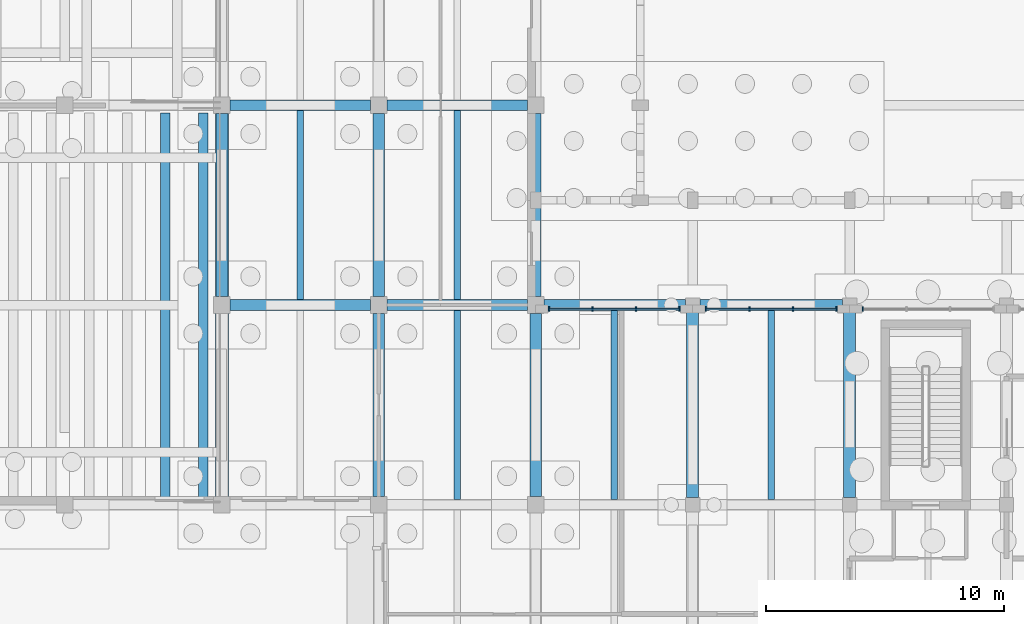
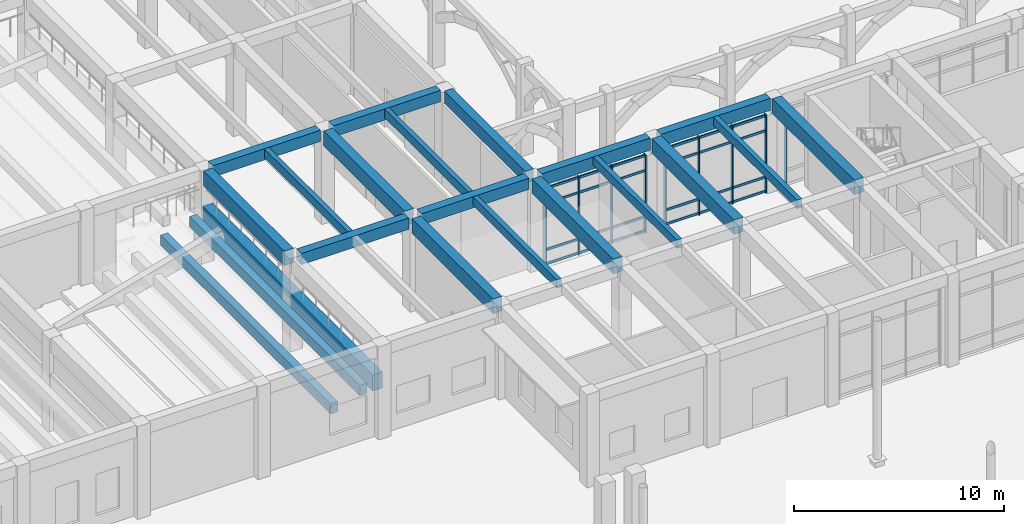
# One storey, part 26 of 82: 21 beams, 17 members, 3 elements without a shape of their own.
"""IFC4 building model written with IfcOpenShell, lengths in metres."""

from ifc_helpers import new_model, si_unit, direction, frame, origin, origin_2d, place, context, subcontext, project, spatial, rectangle, extrude, material, layer, layer_set, material_profile, profile_set, type_object, element, aggregate, save


model = new_model("IFC4")

# Units and contexts
model_context = context("Model", 3, precision=1e-05, world=origin(), true_north=direction((0.0, 1.0)))
body_context = subcontext(model_context, "Body", "Model", "MODEL_VIEW")
ifc_project = project(units=[si_unit("LENGTHUNIT", "METRE"), si_unit("AREAUNIT", "SQUARE_METRE"), si_unit("VOLUMEUNIT", "CUBIC_METRE"), si_unit("PLANEANGLEUNIT", "RADIAN"), si_unit("MASSUNIT", "GRAM", prefix="KILO")], contexts=[model_context])

# Site, building, storey
site_placement = place(None, origin())
site = spatial("IfcSite", under=ifc_project, at=site_placement, CompositionType="ELEMENT")
building_placement = place(site_placement, origin())
building = spatial("IfcBuilding", under=site, at=building_placement, Name="Kolvaren Faculty of Natural Sciences", CompositionType="ELEMENT")
storey_placement = place(building_placement, origin())
storey = spatial("IfcBuildingStorey", under=building, at=storey_placement, Name="L00", CompositionType="ELEMENT", Elevation=0.0)

# Curtain wall, members
ifc_material_1 = material(Name="Thermally broken anodised aluminium framing", Category="aluminium")
ifc_layer_1 = layer(ifc_material_1, 0.179931640625)
ifc_layer_set_1 = layer_set([ifc_layer_1], Name="Thermally broken anodised aluminium framing")
curtain_wall_type_1 = type_object("IfcCurtainWallType", Name="CommonsCurtainWall_CW02", PredefinedType="NOTDEFINED", material=ifc_layer_set_1)
curtain_wall_1_placement = place(storey_placement, origin())
curtain_wall_1 = element("IfcCurtainWall", 1, at=curtain_wall_1_placement, inside=storey, type_object=curtain_wall_type_1, Name="L00 unitised curtain wall CW-02 (CW-L00-007)", PredefinedType="NOTDEFINED")
ifc_material_profile_1 = material_profile(ifc_material_1, rectangle(XDim=0.06005859375, YDim=0.179931640625, at=origin_2d()), Name="ALU MUL 60x180")
ifc_profile_set_1 = profile_set([ifc_material_profile_1], Name="Thermally broken anodised aluminium framing")
member_type_1 = type_object("IfcMemberType", Name="CurtainMullion_60x180", PredefinedType="MULLION", material=ifc_profile_set_1)
member_1_placement = place(storey_placement, frame((46.949951171875, 84.030029296875, 0.0), z_axis=(0.0, 0.0, 1.0), x_axis=(1.0, 0.0, 0.0)))
member_1 = element("IfcMember", 2, at=member_1_placement, type_object=member_type_1, Name="CW-L00-007 vertical mullion 1", PredefinedType="MULLION", context=body_context, shape_type="SweptSolid", body=[
    extrude(rectangle(XDim=0.06005859375, YDim=0.179931640625, at=origin_2d()), origin(), (0.0, 0.0, 1.0), 4.534912109375),
])
member_2_placement = place(storey_placement, frame((48.783203125, 84.030029296875, 0.0), z_axis=(0.0, 0.0, 1.0), x_axis=(1.0, 0.0, 0.0)))
member_2 = element("IfcMember", 3, at=member_2_placement, type_object=member_type_1, Name="CW-L00-007 vertical mullion 2", PredefinedType="MULLION", context=body_context, shape_type="SweptSolid", body=[
    extrude(rectangle(XDim=0.06005859375, YDim=0.179931640625, at=origin_2d()), origin(), (0.0, 0.0, 1.0), 4.534912109375),
])
member_3_placement = place(storey_placement, frame((50.61669921875, 84.030029296875, 0.0), z_axis=(0.0, 0.0, 1.0), x_axis=(1.0, 0.0, 0.0)))
member_3 = element("IfcMember", 4, at=member_3_placement, type_object=member_type_1, Name="CW-L00-007 vertical mullion 3", PredefinedType="MULLION", context=body_context, shape_type="SweptSolid", body=[
    extrude(rectangle(XDim=0.06005859375, YDim=0.179931640625, at=origin_2d()), origin(), (0.0, 0.0, 1.0), 4.534912109375),
])
member_4_placement = place(storey_placement, frame((52.449951171875, 84.030029296875, 0.0), z_axis=(0.0, 0.0, 1.0), x_axis=(1.0, 0.0, 0.0)))
member_4 = element("IfcMember", 5, at=member_4_placement, type_object=member_type_1, Name="CW-L00-007 vertical mullion 4", PredefinedType="MULLION", context=body_context, shape_type="SweptSolid", body=[
    extrude(rectangle(XDim=0.06005859375, YDim=0.179931640625, at=origin_2d()), origin(), (0.0, 0.0, 1.0), 4.534912109375),
])

curtain_wall_2_placement = place(storey_placement, origin())
curtain_wall_2 = element("IfcCurtainWall", 6, at=curtain_wall_2_placement, inside=storey, type_object=curtain_wall_type_1, Name="L00 unitised curtain wall CW-02 (CW-L00-008)", PredefinedType="NOTDEFINED")
member_5_placement = place(storey_placement, frame((53.550048828125, 84.030029296875, 0.0), z_axis=(0.0, 0.0, 1.0), x_axis=(1.0, 0.0, 0.0)))
member_5 = element("IfcMember", 7, at=member_5_placement, type_object=member_type_1, Name="CW-L00-008 vertical mullion 1", PredefinedType="MULLION", context=body_context, shape_type="SweptSolid", body=[
    extrude(rectangle(XDim=0.06005859375, YDim=0.179931640625, at=origin_2d()), origin(), (0.0, 0.0, 1.0), 4.534912109375),
])
member_6_placement = place(storey_placement, frame((55.38330078125, 84.030029296875, 0.0), z_axis=(0.0, 0.0, 1.0), x_axis=(1.0, 0.0, 0.0)))
member_6 = element("IfcMember", 8, at=member_6_placement, type_object=member_type_1, Name="CW-L00-008 vertical mullion 2", PredefinedType="MULLION", context=body_context, shape_type="SweptSolid", body=[
    extrude(rectangle(XDim=0.06005859375, YDim=0.179931640625, at=origin_2d()), origin(), (0.0, 0.0, 1.0), 4.534912109375),
])
member_7_placement = place(storey_placement, frame((57.216796875, 84.030029296875, 0.0), z_axis=(0.0, 0.0, 1.0), x_axis=(1.0, 0.0, 0.0)))
member_7 = element("IfcMember", 9, at=member_7_placement, type_object=member_type_1, Name="CW-L00-008 vertical mullion 3", PredefinedType="MULLION", context=body_context, shape_type="SweptSolid", body=[
    extrude(rectangle(XDim=0.06005859375, YDim=0.179931640625, at=origin_2d()), origin(), (0.0, 0.0, 1.0), 4.534912109375),
])
member_8_placement = place(storey_placement, frame((59.050048828125, 84.030029296875, 0.0), z_axis=(0.0, 0.0, 1.0), x_axis=(1.0, 0.0, 0.0)))
member_8 = element("IfcMember", 10, at=member_8_placement, type_object=member_type_1, Name="CW-L00-008 vertical mullion 4", PredefinedType="MULLION", context=body_context, shape_type="SweptSolid", body=[
    extrude(rectangle(XDim=0.06005859375, YDim=0.179931640625, at=origin_2d()), origin(), (0.0, 0.0, 1.0), 4.534912109375),
])

# Curtain wall, member
ifc_layer_2 = layer(ifc_material_1, 0.179931640625)
ifc_layer_set_2 = layer_set([ifc_layer_2], Name="Thermally broken anodised aluminium framing")
curtain_wall_type_2 = type_object("IfcCurtainWallType", Name="AtriumCurtainWall_CW01", PredefinedType="NOTDEFINED", material=ifc_layer_set_2)
curtain_wall_3_placement = place(storey_placement, origin())
curtain_wall_3 = element("IfcCurtainWall", 11, at=curtain_wall_3_placement, inside=storey, type_object=curtain_wall_type_2, Name="L00 unitised curtain wall CW-01 (CW-L00-009)", PredefinedType="NOTDEFINED")
member_9_placement = place(storey_placement, frame((60.14990234375, 84.030029296875, 0.0), z_axis=(0.0, 0.0, 1.0), x_axis=(1.0, 0.0, 0.0)))
member_9 = element("IfcMember", 12, at=member_9_placement, type_object=member_type_1, Name="CW-L00-009 vertical mullion 1", PredefinedType="MULLION", context=body_context, shape_type="SweptSolid", body=[
    extrude(rectangle(XDim=0.06005859375, YDim=0.179931640625, at=origin_2d()), origin(), (0.0, 0.0, 1.0), 4.534912109375),
])
aggregate(curtain_wall_3, [member_9])

# Member
ifc_material_profile_2 = material_profile(ifc_material_1, rectangle(XDim=0.06005859375, YDim=0.139892578125, at=origin_2d()), Name="ALU TRN 60x140")
ifc_profile_set_2 = profile_set([ifc_material_profile_2], Name="Thermally broken anodised aluminium framing")
member_type_2 = type_object("IfcMemberType", Name="CurtainTransom_60x140", PredefinedType="USERDEFINED", material=ifc_profile_set_2)
member_10_placement = place(storey_placement, frame((46.949951171875, 84.030029296875, 0.080078125), z_axis=(1.0, 0.0, 0.0), x_axis=(0.0, 1.0, 0.0)))
member_10 = element("IfcMember", 13, at=member_10_placement, type_object=member_type_2, Name="CW-L00-007 horizontal transom 1", ObjectType="TRANSOM", PredefinedType="USERDEFINED", context=body_context, shape_type="SweptSolid", body=[
    extrude(rectangle(XDim=0.06005859375, YDim=0.139892578125, at=origin_2d()), origin(), (0.0, 0.0, 1.0), 5.5),
])

member_11_placement = place(storey_placement, frame((46.949951171875, 84.030029296875, 0.89990234375), z_axis=(1.0, 0.0, 0.0), x_axis=(0.0, 1.0, 0.0)))
member_11 = element("IfcMember", 14, at=member_11_placement, type_object=member_type_2, Name="CW-L00-007 horizontal transom 2", ObjectType="TRANSOM", PredefinedType="USERDEFINED", context=body_context, shape_type="SweptSolid", body=[
    extrude(rectangle(XDim=0.06005859375, YDim=0.139892578125, at=origin_2d()), origin(), (0.0, 0.0, 1.0), 5.5),
])

member_12_placement = place(storey_placement, frame((46.949951171875, 84.030029296875, 3.5849609375), z_axis=(1.0, 0.0, 0.0), x_axis=(0.0, 1.0, 0.0)))
member_12 = element("IfcMember", 15, at=member_12_placement, type_object=member_type_2, Name="CW-L00-007 horizontal transom 3", ObjectType="TRANSOM", PredefinedType="USERDEFINED", context=body_context, shape_type="SweptSolid", body=[
    extrude(rectangle(XDim=0.06005859375, YDim=0.139892578125, at=origin_2d()), origin(), (0.0, 0.0, 1.0), 5.5),
])

member_13_placement = place(storey_placement, frame((46.949951171875, 84.030029296875, 4.455078125), z_axis=(1.0, 0.0, 0.0), x_axis=(0.0, 1.0, 0.0)))
member_13 = element("IfcMember", 16, at=member_13_placement, type_object=member_type_2, Name="CW-L00-007 horizontal transom 4", ObjectType="TRANSOM", PredefinedType="USERDEFINED", context=body_context, shape_type="SweptSolid", body=[
    extrude(rectangle(XDim=0.06005859375, YDim=0.139892578125, at=origin_2d()), origin(), (0.0, 0.0, 1.0), 5.5),
])

aggregate(curtain_wall_1, [member_1, member_2, member_3, member_4, member_10, member_11, member_12, member_13])

member_14_placement = place(storey_placement, frame((53.550048828125, 84.030029296875, 0.080078125), z_axis=(1.0, 0.0, 0.0), x_axis=(0.0, 1.0, 0.0)))
member_14 = element("IfcMember", 17, at=member_14_placement, type_object=member_type_2, Name="CW-L00-008 horizontal transom 1", ObjectType="TRANSOM", PredefinedType="USERDEFINED", context=body_context, shape_type="SweptSolid", body=[
    extrude(rectangle(XDim=0.06005859375, YDim=0.139892578125, at=origin_2d()), origin(), (0.0, 0.0, 1.0), 5.5),
])

member_15_placement = place(storey_placement, frame((53.550048828125, 84.030029296875, 0.89990234375), z_axis=(1.0, 0.0, 0.0), x_axis=(0.0, 1.0, 0.0)))
member_15 = element("IfcMember", 18, at=member_15_placement, type_object=member_type_2, Name="CW-L00-008 horizontal transom 2", ObjectType="TRANSOM", PredefinedType="USERDEFINED", context=body_context, shape_type="SweptSolid", body=[
    extrude(rectangle(XDim=0.06005859375, YDim=0.139892578125, at=origin_2d()), origin(), (0.0, 0.0, 1.0), 5.5),
])

member_16_placement = place(storey_placement, frame((53.550048828125, 84.030029296875, 3.5849609375), z_axis=(1.0, 0.0, 0.0), x_axis=(0.0, 1.0, 0.0)))
member_16 = element("IfcMember", 19, at=member_16_placement, type_object=member_type_2, Name="CW-L00-008 horizontal transom 3", ObjectType="TRANSOM", PredefinedType="USERDEFINED", context=body_context, shape_type="SweptSolid", body=[
    extrude(rectangle(XDim=0.06005859375, YDim=0.139892578125, at=origin_2d()), origin(), (0.0, 0.0, 1.0), 5.5),
])

member_17_placement = place(storey_placement, frame((53.550048828125, 84.030029296875, 4.455078125), z_axis=(1.0, 0.0, 0.0), x_axis=(0.0, 1.0, 0.0)))
member_17 = element("IfcMember", 20, at=member_17_placement, type_object=member_type_2, Name="CW-L00-008 horizontal transom 4", ObjectType="TRANSOM", PredefinedType="USERDEFINED", context=body_context, shape_type="SweptSolid", body=[
    extrude(rectangle(XDim=0.06005859375, YDim=0.139892578125, at=origin_2d()), origin(), (0.0, 0.0, 1.0), 5.5),
])

aggregate(curtain_wall_2, [member_5, member_6, member_7, member_8, member_14, member_15, member_16, member_17])

# Beams
ifc_material_2 = material(Name="Concrete C35/45", Category="concrete")
ifc_material_profile_3 = material_profile(ifc_material_2, rectangle(XDim=0.39990234375, YDim=0.60009765625, at=origin_2d()), Name="RC BM 400x600")
ifc_profile_set_3 = profile_set([ifc_material_profile_3], Name="Concrete C35/45")
beam_type_1 = type_object("IfcBeamType", Name="GridBeam_400x600", PredefinedType="BEAM", material=ifc_profile_set_3)
for number, where, z_axis, x_axis, name in (
    (21, (30.824951171875, 76.1201171875, 2.169921875), (0.0, 1.0, 0.0), (-1.0, 0.0, 0.0), "Lecture theatre LT-3 tier 5 transverse support beam"),
    (22, (32.425048828125, 76.1201171875, 2.679931640625), (0.0, 1.0, 0.0), (-1.0, 0.0, 0.0), "Lecture theatre LT-3 tier 6 transverse support beam"),
):
    element("IfcBeam", number, at=place(storey_placement, frame(where, z_axis=z_axis, x_axis=x_axis)), inside=storey, type_object=beam_type_1, Name=name, PredefinedType="BEAM", context=body_context, shape_type="SweptSolid", body=[
        extrude(rectangle(XDim=0.39990234375, YDim=0.60009765625, at=origin_2d()), origin(), (0.0, 0.0, 1.0), 16.159912109375),
    ])
ifc_material_profile_4 = material_profile(ifc_material_2, rectangle(XDim=0.449951171875, YDim=0.64990234375, at=origin_2d()), Name="RC BM 450x650")
ifc_profile_set_4 = profile_set([ifc_material_profile_4], Name="Concrete C35/45")
beam_type_2 = type_object("IfcBeamType", Name="GridBeam_450x650", PredefinedType="BEAM", material=ifc_profile_set_4)
beam_1_placement = place(storey_placement, frame((33.550048828125, 84.199951171875, 5.074951171875), z_axis=(1.0, 0.0, 0.0), x_axis=(0.0, 1.0, 0.0)))
element("IfcBeam", 23, at=beam_1_placement, inside=storey, type_object=beam_type_2, Name="L00 beam BM-65 on grid L", PredefinedType="BEAM", context=body_context, shape_type="SweptSolid", body=[
    extrude(rectangle(XDim=0.449951171875, YDim=0.64990234375, at=origin_2d()), origin(), (0.0, 0.0, 1.0), 5.89990234375),
])
beam_2_placement = place(storey_placement, frame((40.14990234375, 84.199951171875, 5.074951171875), z_axis=(1.0, 0.0, 0.0), x_axis=(0.0, 1.0, 0.0)))
element("IfcBeam", 24, at=beam_2_placement, inside=storey, type_object=beam_type_2, Name="L00 beam BM-65 on grid L", PredefinedType="BEAM", context=body_context, shape_type="SweptSolid", body=[
    extrude(rectangle(XDim=0.449951171875, YDim=0.64990234375, at=origin_2d()), origin(), (0.0, 0.0, 1.0), 5.900146484375),
])
beam_3_placement = place(storey_placement, frame((33.550048828125, 92.60009765625, 5.074951171875), z_axis=(1.0, 0.0, 0.0), x_axis=(0.0, 1.0, 0.0)))
element("IfcBeam", 25, at=beam_3_placement, inside=storey, type_object=beam_type_2, Name="L00 beam BM-65 on grid M", PredefinedType="BEAM", context=body_context, shape_type="SweptSolid", body=[
    extrude(rectangle(XDim=0.449951171875, YDim=0.64990234375, at=origin_2d()), origin(), (0.0, 0.0, 1.0), 5.89990234375),
])
beam_4_placement = place(storey_placement, frame((40.14990234375, 92.60009765625, 5.074951171875), z_axis=(1.0, 0.0, 0.0), x_axis=(0.0, 1.0, 0.0)))
element("IfcBeam", 26, at=beam_4_placement, inside=storey, type_object=beam_type_2, Name="L00 beam BM-65 on grid M", PredefinedType="BEAM", context=body_context, shape_type="SweptSolid", body=[
    extrude(rectangle(XDim=0.449951171875, YDim=0.64990234375, at=origin_2d()), origin(), (0.0, 0.0, 1.0), 5.900146484375),
])
ifc_material_3 = material(Name="Concrete C40/50", Category="concrete")
ifc_material_profile_5 = material_profile(ifc_material_3, rectangle(XDim=0.550048828125, YDim=0.949951171875, at=origin_2d()), Name="RC BM 550x950")
ifc_profile_set_5 = profile_set([ifc_material_profile_5], Name="Concrete C40/50")
beam_type_3 = type_object("IfcBeamType", Name="HallGirder_550x950", PredefinedType="BEAM", material=ifc_profile_set_5)
beam_5_placement = place(storey_placement, frame((33.199951171875, 76.1201171875, 2.8701171875), z_axis=(0.0, 1.0, 0.0), x_axis=(-1.0, 0.0, 0.0)))
element("IfcBeam", 27, at=beam_5_placement, inside=storey, type_object=beam_type_3, Name="Lecture theatre LT-3 raker header girder", PredefinedType="BEAM", context=body_context, shape_type="SweptSolid", body=[
    extrude(rectangle(XDim=0.550048828125, YDim=0.949951171875, at=origin_2d()), origin(), (0.0, 0.0, 1.0), 16.159912109375),
])
ifc_material_profile_6 = material_profile(ifc_material_2, rectangle(XDim=0.260009765625, YDim=0.5, at=origin_2d()), Name="RC JST 260x500")
ifc_profile_set_6 = profile_set([ifc_material_profile_6], Name="Concrete C35/45")
beam_type_4 = type_object("IfcBeamType", Name="LabRibJoist_260x500", PredefinedType="JOIST", material=ifc_profile_set_6)
beam_6_placement = place(storey_placement, frame((36.5, 84.425048828125, 5.14990234375), z_axis=(0.0, 1.0, 0.0), x_axis=(-1.0, 0.0, 0.0)))
element("IfcBeam", 28, at=beam_6_placement, inside=storey, type_object=beam_type_4, Name="L00 ribbed laboratory slab joist JS-50", PredefinedType="JOIST", context=body_context, shape_type="SweptSolid", body=[
    extrude(rectangle(XDim=0.260009765625, YDim=0.5, at=origin_2d()), origin(), (0.0, 0.0, 1.0), 7.949951171875),
])
beam_7_placement = place(storey_placement, frame((43.10009765625, 76.02490234375, 5.14990234375), z_axis=(0.0, 1.0, 0.0), x_axis=(-1.0, 0.0, 0.0)))
element("IfcBeam", 29, at=beam_7_placement, inside=storey, type_object=beam_type_4, Name="L00 ribbed laboratory slab joist JS-50", PredefinedType="JOIST", context=body_context, shape_type="SweptSolid", body=[
    extrude(rectangle(XDim=0.260009765625, YDim=0.5, at=origin_2d()), origin(), (0.0, 0.0, 1.0), 7.9501953125),
])
beam_8_placement = place(storey_placement, frame((43.10009765625, 84.425048828125, 5.14990234375), z_axis=(0.0, 1.0, 0.0), x_axis=(-1.0, 0.0, 0.0)))
element("IfcBeam", 30, at=beam_8_placement, inside=storey, type_object=beam_type_4, Name="L00 ribbed laboratory slab joist JS-50", PredefinedType="JOIST", context=body_context, shape_type="SweptSolid", body=[
    extrude(rectangle(XDim=0.260009765625, YDim=0.5, at=origin_2d()), origin(), (0.0, 0.0, 1.0), 7.949951171875),
])
for number, where, z_axis, x_axis, name in (
    (31, (49.699951171875, 76.02490234375, 5.14990234375), (0.0, 1.0, 0.0), (-1.0, 0.0, 0.0), "L00 ribbed laboratory slab joist JS-50"),
    (32, (56.300048828125, 76.02490234375, 5.14990234375), (0.0, 1.0, 0.0), (-1.0, 0.0, 0.0), "L00 ribbed laboratory slab joist JS-50"),
):
    element("IfcBeam", number, at=place(storey_placement, frame(where, z_axis=z_axis, x_axis=x_axis)), inside=storey, type_object=beam_type_4, Name=name, PredefinedType="JOIST", context=body_context, shape_type="SweptSolid", body=[
        extrude(rectangle(XDim=0.260009765625, YDim=0.5, at=origin_2d()), origin(), (0.0, 0.0, 1.0), 7.9501953125),
    ])
ifc_material_profile_7 = material_profile(ifc_material_2, rectangle(XDim=0.449951171875, YDim=0.699951171875, at=origin_2d()), Name="RC SP 450x700")
ifc_profile_set_7 = profile_set([ifc_material_profile_7], Name="Concrete C35/45")
beam_type_5 = type_object("IfcBeamType", Name="PerimeterSpandrel_450x700", PredefinedType="SPANDREL", material=ifc_profile_set_7)
beam_9_placement = place(storey_placement, frame((46.75, 84.199951171875, 5.050048828125), z_axis=(1.0, 0.0, 0.0), x_axis=(0.0, 1.0, 0.0)))
element("IfcBeam", 33, at=beam_9_placement, inside=storey, type_object=beam_type_5, Name="L00 spandrel SP-70 on grid L", PredefinedType="SPANDREL", context=body_context, shape_type="SweptSolid", body=[
    extrude(rectangle(XDim=0.449951171875, YDim=0.699951171875, at=origin_2d()), origin(), (0.0, 0.0, 1.0), 5.949951171875),
])
beam_10_placement = place(storey_placement, frame((53.300048828125, 84.199951171875, 5.050048828125), z_axis=(1.0, 0.0, 0.0), x_axis=(0.0, 1.0, 0.0)))
element("IfcBeam", 34, at=beam_10_placement, inside=storey, type_object=beam_type_5, Name="L00 spandrel SP-70 on grid L", PredefinedType="SPANDREL", context=body_context, shape_type="SweptSolid", body=[
    extrude(rectangle(XDim=0.449951171875, YDim=0.699951171875, at=origin_2d()), origin(), (0.0, 0.0, 1.0), 6.0),
])
beam_11_placement = place(storey_placement, frame((46.39990234375, 84.550048828125, 5.050048828125), z_axis=(0.0, 1.0, 0.0), x_axis=(-1.0, 0.0, 0.0)))
element("IfcBeam", 35, at=beam_11_placement, inside=storey, type_object=beam_type_5, Name="L00 girder SP-70 on grid 8", PredefinedType="SPANDREL", context=body_context, shape_type="SweptSolid", body=[
    extrude(rectangle(XDim=0.449951171875, YDim=0.699951171875, at=origin_2d()), origin(), (0.0, 0.0, 1.0), 7.699951171875),
])
ifc_material_profile_8 = material_profile(ifc_material_2, rectangle(XDim=0.5, YDim=0.85009765625, at=origin_2d()), Name="RC BM 500x850")
ifc_profile_set_8 = profile_set([ifc_material_profile_8], Name="Concrete C35/45")
beam_type_6 = type_object("IfcBeamType", Name="PrimaryGirder_500x850", PredefinedType="BEAM", material=ifc_profile_set_8)
beam_12_placement = place(storey_placement, frame((33.199951171875, 84.550048828125, 4.97509765625), z_axis=(0.0, 1.0, 0.0), x_axis=(-1.0, 0.0, 0.0)))
element("IfcBeam", 36, at=beam_12_placement, inside=storey, type_object=beam_type_6, Name="L00 girder BG-85 on grid 6", PredefinedType="BEAM", context=body_context, shape_type="SweptSolid", body=[
    extrude(rectangle(XDim=0.5, YDim=0.85009765625, at=origin_2d()), origin(), (0.0, 0.0, 1.0), 7.699951171875),
])
beam_13_placement = place(storey_placement, frame((39.800048828125, 76.14990234375, 4.97509765625), z_axis=(0.0, 1.0, 0.0), x_axis=(-1.0, 0.0, 0.0)))
element("IfcBeam", 37, at=beam_13_placement, inside=storey, type_object=beam_type_6, Name="L00 girder BG-85 on grid 7", PredefinedType="BEAM", context=body_context, shape_type="SweptSolid", body=[
    extrude(rectangle(XDim=0.5, YDim=0.85009765625, at=origin_2d()), origin(), (0.0, 0.0, 1.0), 7.7001953125),
])
beam_14_placement = place(storey_placement, frame((39.800048828125, 84.550048828125, 4.97509765625), z_axis=(0.0, 1.0, 0.0), x_axis=(-1.0, 0.0, 0.0)))
element("IfcBeam", 38, at=beam_14_placement, inside=storey, type_object=beam_type_6, Name="L00 girder BG-85 on grid 7", PredefinedType="BEAM", context=body_context, shape_type="SweptSolid", body=[
    extrude(rectangle(XDim=0.5, YDim=0.85009765625, at=origin_2d()), origin(), (0.0, 0.0, 1.0), 7.699951171875),
])
beam_15_placement = place(storey_placement, frame((46.39990234375, 76.14990234375, 4.97509765625), z_axis=(0.0, 1.0, 0.0), x_axis=(-1.0, 0.0, 0.0)))
element("IfcBeam", 39, at=beam_15_placement, inside=storey, type_object=beam_type_6, Name="L00 girder BG-85 on grid 8", PredefinedType="BEAM", context=body_context, shape_type="SweptSolid", body=[
    extrude(rectangle(XDim=0.5, YDim=0.85009765625, at=origin_2d()), origin(), (0.0, 0.0, 1.0), 7.7001953125),
])
for number, where, z_axis, x_axis, name in (
    (40, (53.0, 76.10009765625, 4.97509765625), (0.0, 1.0, 0.0), (-1.0, 0.0, 0.0), "L00 girder BG-85 on grid 9"),
    (41, (59.60009765625, 76.10009765625, 4.97509765625), (0.0, 1.0, 0.0), (-1.0, 0.0, 0.0), "L00 girder BG-85 on grid 10"),
):
    element("IfcBeam", number, at=place(storey_placement, frame(where, z_axis=z_axis, x_axis=x_axis)), inside=storey, type_object=beam_type_6, Name=name, PredefinedType="BEAM", context=body_context, shape_type="SweptSolid", body=[
        extrude(rectangle(XDim=0.5, YDim=0.85009765625, at=origin_2d()), origin(), (0.0, 0.0, 1.0), 7.7998046875),
    ])

save(model, "model.ifc")
